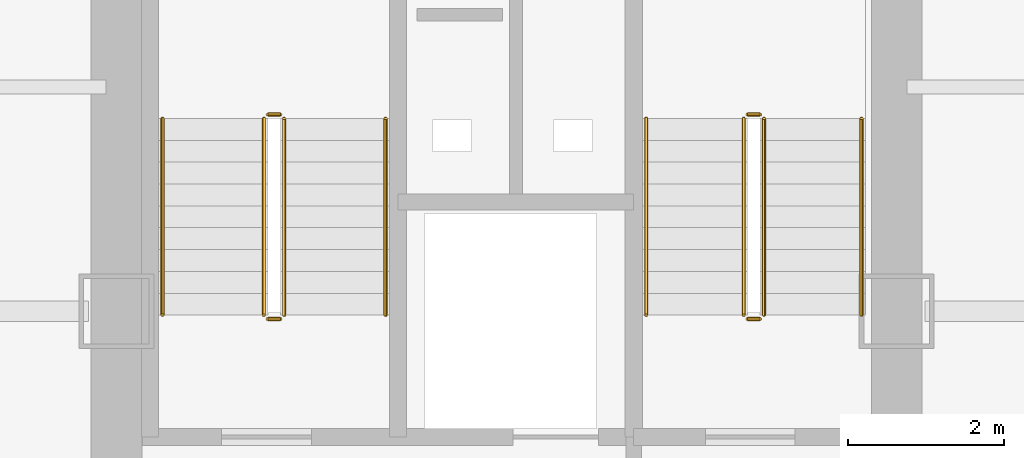
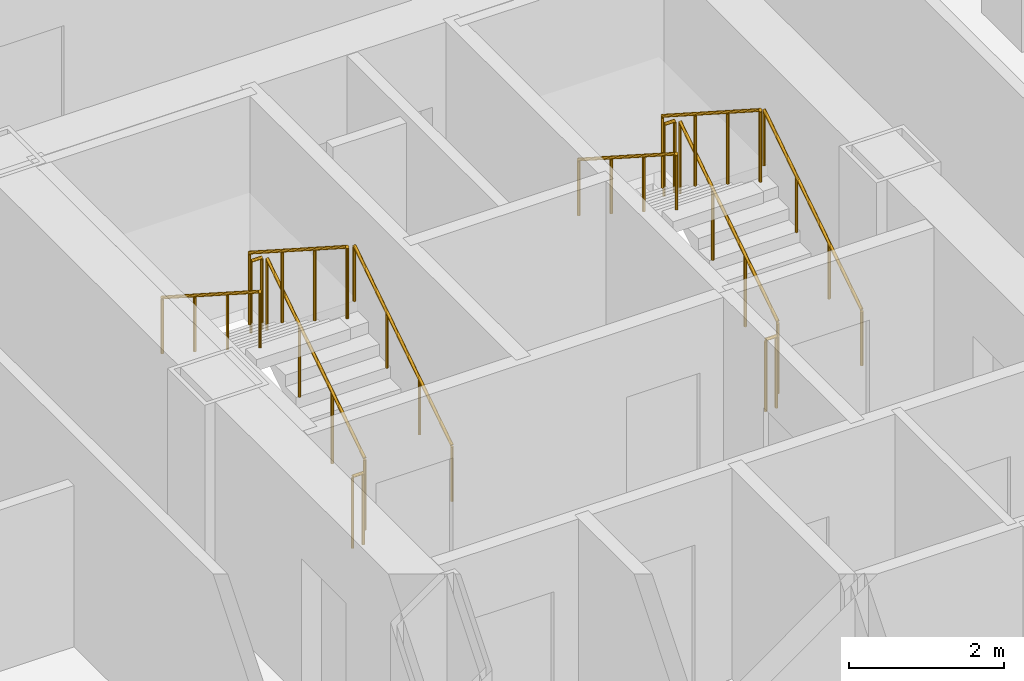
# One storey, part 20 of 21: 12 railings.
"""IFC4 building model written with IfcOpenShell, lengths in metres."""

from ifc_helpers import new_model, si_unit, direction, frame, origin, origin_2d, place, context, subcontext, project, spatial, circle, extrude, material, type_object, element, save


model = new_model("IFC4")

# Units and contexts
model_context = context("Model", 3, precision=1e-05, world=origin(), true_north=direction((0.0, 1.0)))
body_context = subcontext(model_context, "Body", "Model", "MODEL_VIEW")
ifc_project = project(units=[si_unit("LENGTHUNIT", "METRE"), si_unit("AREAUNIT", "SQUARE_METRE"), si_unit("VOLUMEUNIT", "CUBIC_METRE"), si_unit("PLANEANGLEUNIT", "RADIAN"), si_unit("MASSUNIT", "GRAM", prefix="KILO")], contexts=[model_context])

# Site, building, storey
site_placement = place(None, origin())
site = spatial("IfcSite", under=ifc_project, at=site_placement, CompositionType="ELEMENT")
building_placement = place(site_placement, origin())
building = spatial("IfcBuilding", under=site, at=building_placement, Name="Kolveth Station Tower", CompositionType="ELEMENT")
storey_placement = place(building_placement, frame((0.0, 0.0, 29.699951171875)))
storey = spatial("IfcBuildingStorey", under=building, at=storey_placement, Name="L07", CompositionType="ELEMENT", Elevation=29.699951171875)

# Railings
ifc_material_1 = material(Name="Painted Steel S355 balustrade", Category="steel")
railing_type_1 = type_object("IfcRailingType", Name="Guard_GR2", PredefinedType="BALUSTRADE", material=ifc_material_1)
railing_1_placement = place(storey_placement, frame((20.64990234375, 22.949951171875, 0.179931640625)))
element("IfcRailing", 1, at=railing_1_placement, inside=storey, type_object=railing_type_1, Name="L07 ST1 stair guard 1", PredefinedType="BALUSTRADE", context=body_context, shape_type="SweptSolid", body=[
    extrude(circle(Radius=0.02392578125, at=origin_2d()), frame((0.0, 0.0, 1.1259765625), z_axis=(0.0, 0.841162588446, 0.540782303519), x_axis=(-1.0, 0.0, 0.0)), (0.0, 0.0, 1.0), 2.995849609375),
    extrude(circle(Radius=0.02099609375, at=origin_2d()), origin(), (0.0, 0.0, 1.0), 1.101806640625),
    extrude(circle(Radius=0.02099609375, at=origin_2d()), frame((0.0, 0.840087890625, 0.5400390625)), (0.0, 0.0, 1.0), 1.101806640625),
    extrude(circle(Radius=0.02099609375, at=origin_2d()), frame((0.0, 1.679931640625, 1.080078125)), (0.0, 0.0, 1.0), 1.101806640625),
    extrude(circle(Radius=0.02099609375, at=origin_2d()), frame((0.0, 2.52001953125, 1.6201171875)), (0.0, 0.0, 1.0), 1.101806640625),
])
railing_2_placement = place(storey_placement, frame((20.60009765625, 25.52001953125, 1.800048828125)))
element("IfcRailing", 2, at=railing_2_placement, inside=storey, type_object=railing_type_1, Name="L07 ST1 stair guard 2", PredefinedType="BALUSTRADE", context=body_context, shape_type="SweptSolid", body=[
    extrude(circle(Radius=0.02392578125, at=origin_2d()), frame((0.0, 0.0, 1.1259765625), z_axis=(-1.0, 0.0, 0.0), x_axis=(0.0, -1.0, 0.0)), (0.0, 0.0, 1.0), 0.16015625),
    extrude(circle(Radius=0.02099609375, at=origin_2d()), origin(), (0.0, 0.0, 1.0), 1.101806640625),
    extrude(circle(Radius=0.02099609375, at=origin_2d()), frame((-0.16015625, 0.0, 0.0)), (0.0, 0.0, 1.0), 1.101806640625),
])
railing_3_placement = place(storey_placement, frame((20.389892578125, 25.469970703125, 1.97998046875)))
element("IfcRailing", 3, at=railing_3_placement, inside=storey, type_object=railing_type_1, Name="L07 ST1 stair guard 3", PredefinedType="BALUSTRADE", context=body_context, shape_type="SweptSolid", body=[
    extrude(circle(Radius=0.02392578125, at=origin_2d()), frame((0.0, 0.0, 1.1259765625), z_axis=(0.0, -0.841162588446, 0.540782303519), x_axis=(1.0, 0.0, 0.0)), (0.0, 0.0, 1.0), 2.995849609375),
    extrude(circle(Radius=0.02099609375, at=origin_2d()), origin(), (0.0, 0.0, 1.0), 1.101806640625),
    extrude(circle(Radius=0.02099609375, at=origin_2d()), frame((0.0, -0.840087890625, 0.5400390625)), (0.0, 0.0, 1.0), 1.101806640625),
    extrude(circle(Radius=0.02099609375, at=origin_2d()), frame((0.0, -1.679931640625, 1.080078125)), (0.0, 0.0, 1.0), 1.101806640625),
    extrude(circle(Radius=0.02099609375, at=origin_2d()), frame((0.0, -2.52001953125, 1.6201171875)), (0.0, 0.0, 1.0), 1.101806640625),
])
railing_4_placement = place(storey_placement, frame((20.60009765625, 22.89990234375, 0.0)))
element("IfcRailing", 4, at=railing_4_placement, inside=storey, type_object=railing_type_1, Name="L07 ST1 stair guard 4", PredefinedType="BALUSTRADE", context=body_context, shape_type="SweptSolid", body=[
    extrude(circle(Radius=0.02392578125, at=origin_2d()), frame((0.0, 0.0, 1.1259765625), z_axis=(-1.0, 0.0, 0.0), x_axis=(0.0, -1.0, 0.0)), (0.0, 0.0, 1.0), 0.16015625),
    extrude(circle(Radius=0.02099609375, at=origin_2d()), origin(), (0.0, 0.0, 1.0), 1.101806640625),
    extrude(circle(Radius=0.02099609375, at=origin_2d()), frame((-0.16015625, 0.0, 0.0)), (0.0, 0.0, 1.0), 1.101806640625),
])
railing_5_placement = place(storey_placement, frame((26.800048828125, 22.949951171875, 0.179931640625)))
element("IfcRailing", 5, at=railing_5_placement, inside=storey, type_object=railing_type_1, Name="L07 ST2 stair guard 1", PredefinedType="BALUSTRADE", context=body_context, shape_type="SweptSolid", body=[
    extrude(circle(Radius=0.02392578125, at=origin_2d()), frame((0.0, 0.0, 1.1259765625), z_axis=(0.0, 0.841162588446, 0.540782303519), x_axis=(-1.0, 0.0, 0.0)), (0.0, 0.0, 1.0), 2.995849609375),
    extrude(circle(Radius=0.02099609375, at=origin_2d()), origin(), (0.0, 0.0, 1.0), 1.101806640625),
    extrude(circle(Radius=0.02099609375, at=origin_2d()), frame((0.0, 0.840087890625, 0.5400390625)), (0.0, 0.0, 1.0), 1.101806640625),
    extrude(circle(Radius=0.02099609375, at=origin_2d()), frame((0.0, 1.679931640625, 1.080078125)), (0.0, 0.0, 1.0), 1.101806640625),
    extrude(circle(Radius=0.02099609375, at=origin_2d()), frame((0.0, 2.52001953125, 1.6201171875)), (0.0, 0.0, 1.0), 1.101806640625),
])
railing_6_placement = place(storey_placement, frame((26.75, 25.52001953125, 1.800048828125)))
element("IfcRailing", 6, at=railing_6_placement, inside=storey, type_object=railing_type_1, Name="L07 ST2 stair guard 2", PredefinedType="BALUSTRADE", context=body_context, shape_type="SweptSolid", body=[
    extrude(circle(Radius=0.02392578125, at=origin_2d()), frame((0.0, 0.0, 1.1259765625), z_axis=(-1.0, 0.0, 0.0), x_axis=(0.0, -1.0, 0.0)), (0.0, 0.0, 1.0), 0.159912109375),
    extrude(circle(Radius=0.02099609375, at=origin_2d()), origin(), (0.0, 0.0, 1.0), 1.101806640625),
    extrude(circle(Radius=0.02099609375, at=origin_2d()), frame((-0.159912109375, 0.0, 0.0)), (0.0, 0.0, 1.0), 1.101806640625),
])
railing_7_placement = place(storey_placement, frame((26.5400390625, 25.469970703125, 1.97998046875)))
element("IfcRailing", 7, at=railing_7_placement, inside=storey, type_object=railing_type_1, Name="L07 ST2 stair guard 3", PredefinedType="BALUSTRADE", context=body_context, shape_type="SweptSolid", body=[
    extrude(circle(Radius=0.02392578125, at=origin_2d()), frame((0.0, 0.0, 1.1259765625), z_axis=(0.0, -0.841162588446, 0.540782303519), x_axis=(1.0, 0.0, 0.0)), (0.0, 0.0, 1.0), 2.995849609375),
    extrude(circle(Radius=0.02099609375, at=origin_2d()), origin(), (0.0, 0.0, 1.0), 1.101806640625),
    extrude(circle(Radius=0.02099609375, at=origin_2d()), frame((0.0, -0.840087890625, 0.5400390625)), (0.0, 0.0, 1.0), 1.101806640625),
    extrude(circle(Radius=0.02099609375, at=origin_2d()), frame((0.0, -1.679931640625, 1.080078125)), (0.0, 0.0, 1.0), 1.101806640625),
    extrude(circle(Radius=0.02099609375, at=origin_2d()), frame((0.0, -2.52001953125, 1.6201171875)), (0.0, 0.0, 1.0), 1.101806640625),
])
railing_8_placement = place(storey_placement, frame((26.75, 22.89990234375, 0.0)))
element("IfcRailing", 8, at=railing_8_placement, inside=storey, type_object=railing_type_1, Name="L07 ST2 stair guard 4", PredefinedType="BALUSTRADE", context=body_context, shape_type="SweptSolid", body=[
    extrude(circle(Radius=0.02392578125, at=origin_2d()), frame((0.0, 0.0, 1.1259765625), z_axis=(-1.0, 0.0, 0.0), x_axis=(0.0, -1.0, 0.0)), (0.0, 0.0, 1.0), 0.159912109375),
    extrude(circle(Radius=0.02099609375, at=origin_2d()), origin(), (0.0, 0.0, 1.0), 1.101806640625),
    extrude(circle(Radius=0.02099609375, at=origin_2d()), frame((-0.159912109375, 0.0, 0.0)), (0.0, 0.0, 1.0), 1.101806640625),
])
ifc_material_2 = material(Name="Brushed stainless steel", Category="steel")
railing_type_2 = type_object("IfcRailingType", Name="Handrail_HR1", PredefinedType="HANDRAIL", material=ifc_material_2)
railing_9_placement = place(storey_placement, frame((21.949951171875, 22.949951171875, 0.179931640625)))
element("IfcRailing", 9, at=railing_9_placement, inside=storey, type_object=railing_type_2, Name="L07 ST1 stair handrail 1", PredefinedType="HANDRAIL", context=body_context, shape_type="SweptSolid", body=[
    extrude(circle(Radius=0.02392578125, at=origin_2d()), frame((0.0, 0.0, 0.8759765625), z_axis=(0.0, 0.841162588446, 0.540782303519), x_axis=(-1.0, 0.0, 0.0)), (0.0, 0.0, 1.0), 2.995849609375),
    extrude(circle(Radius=0.02099609375, at=origin_2d()), origin(), (0.0, 0.0, 1.0), 0.851806640625),
    extrude(circle(Radius=0.02099609375, at=origin_2d()), frame((0.0, 0.840087890625, 0.5400390625)), (0.0, 0.0, 1.0), 0.851806640625),
    extrude(circle(Radius=0.02099609375, at=origin_2d()), frame((0.0, 1.679931640625, 1.080078125)), (0.0, 0.0, 1.0), 0.851806640625),
    extrude(circle(Radius=0.02099609375, at=origin_2d()), frame((0.0, 2.52001953125, 1.6201171875)), (0.0, 0.0, 1.0), 0.851806640625),
])
railing_10_placement = place(storey_placement, frame((19.090087890625, 25.469970703125, 1.97998046875)))
element("IfcRailing", 10, at=railing_10_placement, inside=storey, type_object=railing_type_2, Name="L07 ST1 stair handrail 2", PredefinedType="HANDRAIL", context=body_context, shape_type="SweptSolid", body=[
    extrude(circle(Radius=0.02392578125, at=origin_2d()), frame((0.0, 0.0, 0.8759765625), z_axis=(0.0, -0.841162588446, 0.540782303519), x_axis=(1.0, 0.0, 0.0)), (0.0, 0.0, 1.0), 2.995849609375),
    extrude(circle(Radius=0.02099609375, at=origin_2d()), origin(), (0.0, 0.0, 1.0), 0.851806640625),
    extrude(circle(Radius=0.02099609375, at=origin_2d()), frame((0.0, -0.840087890625, 0.5400390625)), (0.0, 0.0, 1.0), 0.851806640625),
    extrude(circle(Radius=0.02099609375, at=origin_2d()), frame((0.0, -1.679931640625, 1.080078125)), (0.0, 0.0, 1.0), 0.851806640625),
    extrude(circle(Radius=0.02099609375, at=origin_2d()), frame((0.0, -2.52001953125, 1.6201171875)), (0.0, 0.0, 1.0), 0.851806640625),
])
railing_11_placement = place(storey_placement, frame((28.050048828125, 22.949951171875, 0.179931640625)))
element("IfcRailing", 11, at=railing_11_placement, inside=storey, type_object=railing_type_2, Name="L07 ST2 stair handrail 1", PredefinedType="HANDRAIL", context=body_context, shape_type="SweptSolid", body=[
    extrude(circle(Radius=0.02392578125, at=origin_2d()), frame((0.0, 0.0, 0.8759765625), z_axis=(0.0, 0.841162588446, 0.540782303519), x_axis=(-1.0, 0.0, 0.0)), (0.0, 0.0, 1.0), 2.995849609375),
    extrude(circle(Radius=0.02099609375, at=origin_2d()), origin(), (0.0, 0.0, 1.0), 0.851806640625),
    extrude(circle(Radius=0.02099609375, at=origin_2d()), frame((0.0, 0.840087890625, 0.5400390625)), (0.0, 0.0, 1.0), 0.851806640625),
    extrude(circle(Radius=0.02099609375, at=origin_2d()), frame((0.0, 1.679931640625, 1.080078125)), (0.0, 0.0, 1.0), 0.851806640625),
    extrude(circle(Radius=0.02099609375, at=origin_2d()), frame((0.0, 2.52001953125, 1.6201171875)), (0.0, 0.0, 1.0), 0.851806640625),
])
railing_12_placement = place(storey_placement, frame((25.2900390625, 25.469970703125, 1.97998046875)))
element("IfcRailing", 12, at=railing_12_placement, inside=storey, type_object=railing_type_2, Name="L07 ST2 stair handrail 2", PredefinedType="HANDRAIL", context=body_context, shape_type="SweptSolid", body=[
    extrude(circle(Radius=0.02392578125, at=origin_2d()), frame((0.0, 0.0, 0.8759765625), z_axis=(0.0, -0.841162588446, 0.540782303519), x_axis=(1.0, 0.0, 0.0)), (0.0, 0.0, 1.0), 2.995849609375),
    extrude(circle(Radius=0.02099609375, at=origin_2d()), origin(), (0.0, 0.0, 1.0), 0.851806640625),
    extrude(circle(Radius=0.02099609375, at=origin_2d()), frame((0.0, -0.840087890625, 0.5400390625)), (0.0, 0.0, 1.0), 0.851806640625),
    extrude(circle(Radius=0.02099609375, at=origin_2d()), frame((0.0, -1.679931640625, 1.080078125)), (0.0, 0.0, 1.0), 0.851806640625),
    extrude(circle(Radius=0.02099609375, at=origin_2d()), frame((0.0, -2.52001953125, 1.6201171875)), (0.0, 0.0, 1.0), 0.851806640625),
])

save(model, "model.ifc")
